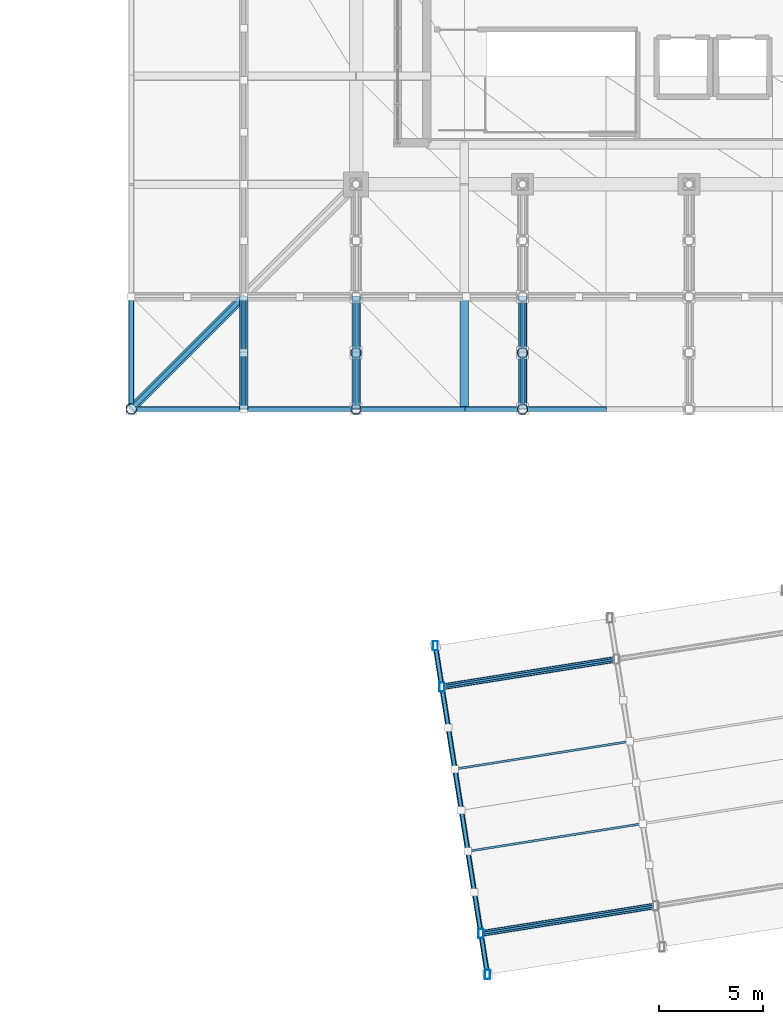
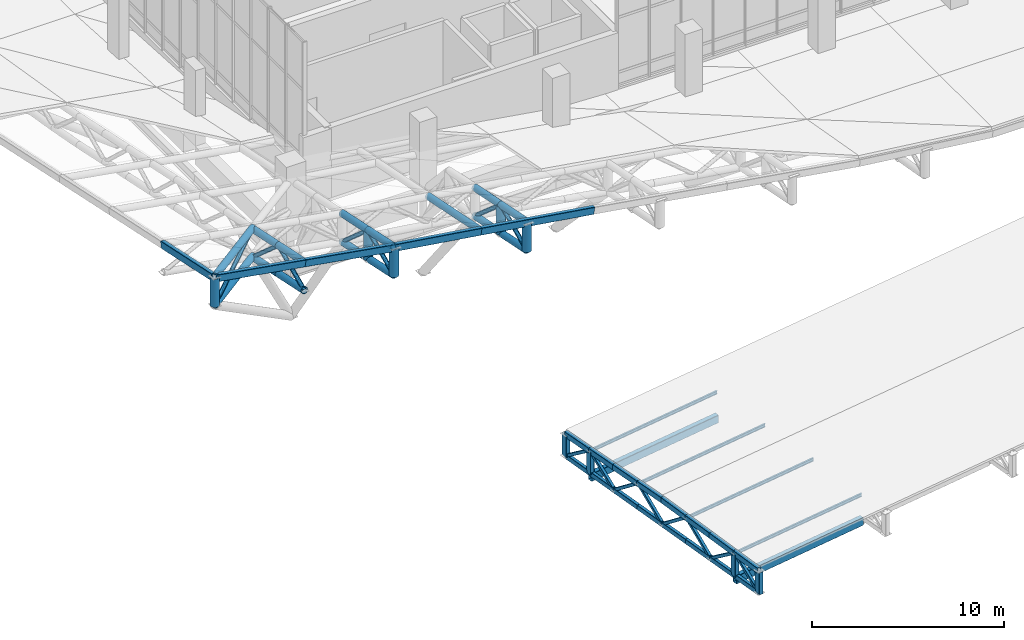
# One storey, part 10 of 137: 60 members, 7 beams.
"""IFC4 building model written with IfcOpenShell, lengths in metres."""

from ifc_helpers import new_model, si_unit, direction, frame, origin, origin_2d, place, context, subcontext, project, spatial, hollow_rectangle, hollow_circle, i_section, extrude, material, material_profile, profile_set, type_object, element, save


model = new_model("IFC4")

# Units and contexts
model_context = context("Model", 3, precision=1e-05, world=origin(), true_north=direction((0.0, 1.0)))
body_context = subcontext(model_context, "Body", "Model", "MODEL_VIEW")
ifc_project = project(units=[si_unit("LENGTHUNIT", "METRE"), si_unit("AREAUNIT", "SQUARE_METRE"), si_unit("VOLUMEUNIT", "CUBIC_METRE"), si_unit("PLANEANGLEUNIT", "RADIAN"), si_unit("MASSUNIT", "GRAM", prefix="KILO")], contexts=[model_context])

# Site, building, storey
site_placement = place(None, origin())
site = spatial("IfcSite", under=ifc_project, at=site_placement, CompositionType="ELEMENT")
building_placement = place(site_placement, origin())
building = spatial("IfcBuilding", under=site, at=building_placement, Name="Khorjan Park Terminus", CompositionType="ELEMENT")
storey_placement = place(building_placement, frame((0.0, 0.0, 11.4)))
storey = spatial("IfcBuildingStorey", under=building, at=storey_placement, Name="L02", CompositionType="ELEMENT", Elevation=11.4)

# Members
ifc_material = material(Name="Steel S355", Category="steel")
ifc_material_profile_1 = material_profile(ifc_material, hollow_rectangle(XDim=0.18, YDim=0.18, WallThickness=0.01, InnerFilletRadius=0.01, OuterFilletRadius=0.02, at=origin_2d()), Name="SHS 180x180x10")
ifc_profile_set_1 = profile_set([ifc_material_profile_1], Name="Steel S355")
member_type_1 = type_object("IfcMemberType", Name="MB-BR-SHS180E", PredefinedType="BRACE", material=ifc_profile_set_1)
for number, where, z_axis, x_axis, name in (
    (1, (54.3129, -11.9754, -2.0), (-0.126963381588, 0.801545107028, 0.584299359178), (-0.987686225577, -0.156447818155, 0.0), "Arrival canopy flat truss web brace TB-S18 (1)"),
    (2, (54.0, -10.0, -0.56), (-0.126963381588, 0.801545107028, -0.584299359178), (-0.987686225577, -0.156447818155, 0.0), "Arrival canopy flat truss web brace TB-S18 (1)"),
):
    element("IfcMember", number, at=place(storey_placement, frame(where, z_axis=z_axis, x_axis=x_axis)), inside=storey, type_object=member_type_1, Name=name, PredefinedType="BRACE", context=body_context, shape_type="SweptSolid", body=[
        extrude(hollow_rectangle(XDim=0.18, YDim=0.18, WallThickness=0.01, InnerFilletRadius=0.01, OuterFilletRadius=0.02, at=origin_2d()), origin(), (0.0, 0.0, 1.0), 2.4645),
    ])
member_1_placement = place(storey_placement, frame((53.6871, -8.0246, -2.0), z_axis=(-0.124519283718, 0.78636634609, 0.605080918324), x_axis=(-0.987693950393, -0.156399042059, 0.0)))
element("IfcMember", 3, at=member_1_placement, inside=storey, type_object=member_type_1, Name="Arrival canopy flat truss web brace TB-S18 (1)", PredefinedType="BRACE", context=body_context, shape_type="SweptSolid", body=[
    extrude(hollow_rectangle(XDim=0.18, YDim=0.18, WallThickness=0.01, InnerFilletRadius=0.01, OuterFilletRadius=0.02, at=origin_2d()), origin(), (0.0, 0.0, 1.0), 2.5121),
])
member_2_placement = place(storey_placement, frame((53.3743, -6.0492, -0.48), z_axis=(-0.124562373336, 0.786347254878, -0.605096859928), x_axis=(-0.987685001707, -0.156455544492, 0.0)))
element("IfcMember", 4, at=member_2_placement, inside=storey, type_object=member_type_1, Name="Arrival canopy flat truss web brace TB-S18 (1)", PredefinedType="BRACE", context=body_context, shape_type="SweptSolid", body=[
    extrude(hollow_rectangle(XDim=0.18, YDim=0.18, WallThickness=0.01, InnerFilletRadius=0.01, OuterFilletRadius=0.02, at=origin_2d()), origin(), (0.0, 0.0, 1.0), 2.512),
])
for number, where, z_axis, x_axis, name in (
    (5, (53.0614, -4.0739, -2.0), (-0.124558474158, 0.786362447589, 0.605077918566), (-0.987686225577, -0.156447818155, 0.0), "Arrival canopy flat truss web brace TB-S18 (1)"),
    (6, (52.7485, -2.0985, -0.48), (-0.124519283718, 0.78636634609, -0.605080918324), (-0.987693950393, -0.156399042059, 0.0), "Arrival canopy flat truss web brace TB-S18 (1)"),
):
    element("IfcMember", number, at=place(storey_placement, frame(where, z_axis=z_axis, x_axis=x_axis)), inside=storey, type_object=member_type_1, Name=name, PredefinedType="BRACE", context=body_context, shape_type="SweptSolid", body=[
        extrude(hollow_rectangle(XDim=0.18, YDim=0.18, WallThickness=0.01, InnerFilletRadius=0.01, OuterFilletRadius=0.02, at=origin_2d()), origin(), (0.0, 0.0, 1.0), 2.5121),
    ])
member_3_placement = place(storey_placement, frame((52.4357, -0.1231, -2.0), z_axis=(-0.126963381588, 0.801545107028, 0.584299359178), x_axis=(-0.987686225577, -0.156447818155, 0.0)))
element("IfcMember", 7, at=member_3_placement, inside=storey, type_object=member_type_1, Name="Arrival canopy flat truss web brace TB-S18 (1)", PredefinedType="BRACE", context=body_context, shape_type="SweptSolid", body=[
    extrude(hollow_rectangle(XDim=0.18, YDim=0.18, WallThickness=0.01, InnerFilletRadius=0.01, OuterFilletRadius=0.02, at=origin_2d()), origin(), (0.0, 0.0, 1.0), 2.4645),
])
member_4_placement = place(storey_placement, frame((52.1228, 1.8523, -0.56), z_axis=(-0.126967511013, 0.801530599245, -0.584318363242), x_axis=(-0.987685001707, -0.156455544492, 0.0)))
element("IfcMember", 8, at=member_4_placement, inside=storey, type_object=member_type_1, Name="Arrival canopy flat truss web brace TB-S18 (1)", PredefinedType="BRACE", context=body_context, shape_type="SweptSolid", body=[
    extrude(hollow_rectangle(XDim=0.18, YDim=0.18, WallThickness=0.01, InnerFilletRadius=0.01, OuterFilletRadius=0.02, at=origin_2d()), origin(), (0.0, 0.0, 1.0), 2.4644),
])
ifc_material_profile_2 = material_profile(ifc_material, hollow_circle(Radius=0.1222, WallThickness=0.0125, at=origin_2d()), Name="CHS 244.5x12.5")
ifc_profile_set_2 = profile_set([ifc_material_profile_2], Name="Steel S355")
member_type_2 = type_object("IfcMemberType", Name="MB-BRE-245", PredefinedType="BRACE", material=ifc_profile_set_2)
member_5_placement = place(storey_placement, frame((48.0, 15.2, 3.9399), z_axis=(0.0, 0.910426516303, 0.413670833408), x_axis=(-1.0, 0.0, 0.0)))
element("IfcMember", 9, at=member_5_placement, inside=storey, type_object=member_type_2, Name="Lower shell cantilever truss diagonal (1S)", PredefinedType="BRACE", context=body_context, shape_type="SweptSolid", body=[
    extrude(hollow_circle(Radius=0.1222, WallThickness=0.0125, at=origin_2d()), origin(), (0.0, 0.0, 1.0), 2.9656),
])
member_6_placement = place(storey_placement, frame((48.0, 17.9, 5.1667), z_axis=(0.0, 0.751099687052, -0.660188806411), x_axis=(-1.0, 0.0, 0.0)))
element("IfcMember", 10, at=member_6_placement, inside=storey, type_object=member_type_2, Name="Lower shell cantilever truss diagonal (1S)", PredefinedType="BRACE", context=body_context, shape_type="SweptSolid", body=[
    extrude(hollow_circle(Radius=0.1222, WallThickness=0.0125, at=origin_2d()), origin(), (0.0, 0.0, 1.0), 3.5947),
])
member_7_placement = place(storey_placement, frame((56.0, 15.2, 2.7325), z_axis=(0.0, 0.907595020085, 0.419846733365), x_axis=(-1.0, 0.0, 0.0)))
element("IfcMember", 11, at=member_7_placement, inside=storey, type_object=member_type_2, Name="Lower shell cantilever truss diagonal (2S)", PredefinedType="BRACE", context=body_context, shape_type="SweptSolid", body=[
    extrude(hollow_circle(Radius=0.1222, WallThickness=0.0125, at=origin_2d()), origin(), (0.0, 0.0, 1.0), 2.9749),
])
member_8_placement = place(storey_placement, frame((56.0, 17.9, 3.9815), z_axis=(0.0, 0.755245900469, -0.655441553325), x_axis=(-1.0, 0.0, 0.0)))
element("IfcMember", 12, at=member_8_placement, inside=storey, type_object=member_type_2, Name="Lower shell cantilever truss diagonal (2S)", PredefinedType="BRACE", context=body_context, shape_type="SweptSolid", body=[
    extrude(hollow_circle(Radius=0.1222, WallThickness=0.0125, at=origin_2d()), origin(), (0.0, 0.0, 1.0), 3.575),
])
member_9_placement = place(storey_placement, frame((42.6, 15.2, 4.8559), z_axis=(0.0, 0.910413816718, 0.413698782123), x_axis=(-1.0, 0.0, 0.0)))
element("IfcMember", 13, at=member_9_placement, inside=storey, type_object=member_type_2, Name="Lower shell mid-ring diagonal (W1)", PredefinedType="BRACE", context=body_context, shape_type="SweptSolid", body=[
    extrude(hollow_circle(Radius=0.1222, WallThickness=0.0125, at=origin_2d()), origin(), (0.0, 0.0, 1.0), 2.9657),
])
member_10_placement = place(storey_placement, frame((42.6, 17.9, 6.0828), z_axis=(0.0, 0.751099687052, -0.660188806411), x_axis=(-1.0, 0.0, 0.0)))
element("IfcMember", 14, at=member_10_placement, inside=storey, type_object=member_type_2, Name="Lower shell mid-ring diagonal (W2)", PredefinedType="BRACE", context=body_context, shape_type="SweptSolid", body=[
    extrude(hollow_circle(Radius=0.1222, WallThickness=0.0125, at=origin_2d()), origin(), (0.0, 0.0, 1.0), 3.5947),
])
member_11_placement = place(storey_placement, frame((42.6, 20.6, 5.5576), z_axis=(-0.706689738214, -0.706689738214, 0.034339886538), x_axis=(0.707106781187, -0.707106781187, 0.0)))
element("IfcMember", 15, at=member_11_placement, inside=storey, type_object=member_type_2, Name="Lower shell upturned corner truss TBE-24 (SW)", PredefinedType="BRACE", context=body_context, shape_type="SweptSolid", body=[
    extrude(hollow_circle(Radius=0.1222, WallThickness=0.0125, at=origin_2d()), origin(), (0.0, 0.0, 1.0), 7.6413),
])
ifc_material_profile_3 = material_profile(ifc_material, hollow_rectangle(XDim=0.2, YDim=0.3, WallThickness=0.0125, InnerFilletRadius=0.0125, OuterFilletRadius=0.025, at=origin_2d()), Name="RHS 300x200x12.5")
ifc_profile_set_3 = profile_set([ifc_material_profile_3], Name="Steel S355")
member_type_3 = type_object("IfcMemberType", Name="MB-CH-RHS300E", PredefinedType="CHORD", material=ifc_profile_set_3)
for number, where, z_axis, x_axis, name in (
    (16, (54.3129, -11.9754, -2.0), (-0.156447818155, 0.987686225577, 0.0), (-0.987686225577, -0.156447818155, 0.0), "Arrival canopy flat truss bottom chord TC-R30 (1)"),
    (17, (54.0, -10.0, -2.0), (-0.156447818155, 0.987686225577, 0.0), (-0.987686225577, -0.156447818155, 0.0), "Arrival canopy flat truss bottom chord TC-R30 (1)"),
    (18, (53.6871, -8.0246, -2.0), (-0.156399042059, 0.987693950393, 0.0), (-0.987693950393, -0.156399042059, 0.0), "Arrival canopy flat truss bottom chord TC-R30 (1)"),
):
    element("IfcMember", number, at=place(storey_placement, frame(where, z_axis=z_axis, x_axis=x_axis)), inside=storey, type_object=member_type_3, Name=name, PredefinedType="CHORD", context=body_context, shape_type="SweptSolid", body=[
        extrude(hollow_rectangle(XDim=0.2, YDim=0.3, WallThickness=0.0125, InnerFilletRadius=0.0125, OuterFilletRadius=0.025, at=origin_2d()), origin(), (0.0, 0.0, 1.0), 2.0),
    ])
member_12_placement = place(storey_placement, frame((53.3743, -6.0492, -2.0), z_axis=(-0.156455544492, 0.987685001707, 0.0), x_axis=(-0.987685001707, -0.156455544492, 0.0)))
element("IfcMember", 19, at=member_12_placement, inside=storey, type_object=member_type_3, Name="Arrival canopy flat truss bottom chord TC-R30 (1)", PredefinedType="CHORD", context=body_context, shape_type="SweptSolid", body=[
    extrude(hollow_rectangle(XDim=0.2, YDim=0.3, WallThickness=0.0125, InnerFilletRadius=0.0125, OuterFilletRadius=0.025, at=origin_2d()), origin(), (0.0, 0.0, 1.0), 1.9999),
])
for number, where, z_axis, x_axis, name in (
    (20, (53.0614, -4.0739, -2.0), (-0.156447818155, 0.987686225577, 0.0), (-0.987686225577, -0.156447818155, 0.0), "Arrival canopy flat truss bottom chord TC-R30 (1)"),
    (21, (52.7485, -2.0985, -2.0), (-0.156399042059, 0.987693950393, 0.0), (-0.987693950393, -0.156399042059, 0.0), "Arrival canopy flat truss bottom chord TC-R30 (1)"),
    (22, (52.4357, -0.1231, -2.0), (-0.156447818155, 0.987686225577, 0.0), (-0.987686225577, -0.156447818155, 0.0), "Arrival canopy flat truss bottom chord TC-R30 (1)"),
):
    element("IfcMember", number, at=place(storey_placement, frame(where, z_axis=z_axis, x_axis=x_axis)), inside=storey, type_object=member_type_3, Name=name, PredefinedType="CHORD", context=body_context, shape_type="SweptSolid", body=[
        extrude(hollow_rectangle(XDim=0.2, YDim=0.3, WallThickness=0.0125, InnerFilletRadius=0.0125, OuterFilletRadius=0.025, at=origin_2d()), origin(), (0.0, 0.0, 1.0), 2.0),
    ])
member_13_placement = place(storey_placement, frame((52.1228, 1.8523, -2.0), z_axis=(-0.156455544492, 0.987685001707, 0.0), x_axis=(-0.987685001707, -0.156455544492, 0.0)))
element("IfcMember", 23, at=member_13_placement, inside=storey, type_object=member_type_3, Name="Arrival canopy flat truss bottom chord TC-R30 (1)", PredefinedType="CHORD", context=body_context, shape_type="SweptSolid", body=[
    extrude(hollow_rectangle(XDim=0.2, YDim=0.3, WallThickness=0.0125, InnerFilletRadius=0.0125, OuterFilletRadius=0.025, at=origin_2d()), origin(), (0.0, 0.0, 1.0), 1.9999),
])
ifc_material_profile_4 = material_profile(ifc_material, hollow_rectangle(XDim=0.25, YDim=0.35, WallThickness=0.0125, InnerFilletRadius=0.0125, OuterFilletRadius=0.025, at=origin_2d()), Name="RHS 350x250x12.5")
ifc_profile_set_4 = profile_set([ifc_material_profile_4], Name="Steel S355")
member_type_4 = type_object("IfcMemberType", Name="MB-CH-RHS350E", PredefinedType="CHORD", material=ifc_profile_set_4)
for number, where, z_axis, x_axis, name in (
    (24, (54.3129, -11.9754, -0.6), (-0.156416538847, 0.98748875308, 0.019995722448), (-0.987686225577, -0.156447818155, 0.0), "Arrival canopy flat truss top chord TC-R35 (1)"),
    (25, (54.0, -10.0, -0.56), (-0.156416538847, 0.98748875308, 0.019995722448), (-0.987686225577, -0.156447818155, 0.0), "Arrival canopy flat truss top chord TC-R35 (1)"),
    (26, (53.6871, -8.0246, -0.52), (-0.156367772014, 0.987496473263, 0.019995878774), (-0.987693950393, -0.156399042059, 0.0), "Arrival canopy flat truss top chord TC-R35 (1)"),
):
    element("IfcMember", number, at=place(storey_placement, frame(where, z_axis=z_axis, x_axis=x_axis)), inside=storey, type_object=member_type_4, Name=name, PredefinedType="CHORD", context=body_context, shape_type="SweptSolid", body=[
        extrude(hollow_rectangle(XDim=0.25, YDim=0.35, WallThickness=0.0125, InnerFilletRadius=0.0125, OuterFilletRadius=0.025, at=origin_2d()), origin(), (0.0, 0.0, 1.0), 2.0004),
    ])
member_14_placement = place(storey_placement, frame((53.3743, -6.0492, -0.48), z_axis=(-0.15642426055, 0.987487509955, 0.019996709562), x_axis=(-0.987685001707, -0.156455544492, 0.0)))
element("IfcMember", 27, at=member_14_placement, inside=storey, type_object=member_type_4, Name="Arrival canopy flat truss top chord TC-R35 (1)", PredefinedType="CHORD", context=body_context, shape_type="SweptSolid", body=[
    extrude(hollow_rectangle(XDim=0.25, YDim=0.35, WallThickness=0.0125, InnerFilletRadius=0.0125, OuterFilletRadius=0.025, at=origin_2d()), origin(), (0.0, 0.0, 1.0), 2.0003),
])
for number, where, z_axis, x_axis, name in (
    (28, (53.0614, -4.0739, -0.44), (-0.156416538847, 0.98748875308, -0.019995722448), (-0.987686225577, -0.156447818155, 0.0), "Arrival canopy flat truss top chord TC-R35 (1)"),
    (29, (52.7485, -2.0985, -0.48), (-0.156367772014, 0.987496473263, -0.019995878774), (-0.987693950393, -0.156399042059, 0.0), "Arrival canopy flat truss top chord TC-R35 (1)"),
    (30, (52.4357, -0.1231, -0.52), (-0.156416538847, 0.98748875308, -0.019995722448), (-0.987686225577, -0.156447818155, 0.0), "Arrival canopy flat truss top chord TC-R35 (1)"),
):
    element("IfcMember", number, at=place(storey_placement, frame(where, z_axis=z_axis, x_axis=x_axis)), inside=storey, type_object=member_type_4, Name=name, PredefinedType="CHORD", context=body_context, shape_type="SweptSolid", body=[
        extrude(hollow_rectangle(XDim=0.25, YDim=0.35, WallThickness=0.0125, InnerFilletRadius=0.0125, OuterFilletRadius=0.025, at=origin_2d()), origin(), (0.0, 0.0, 1.0), 2.0004),
    ])
member_15_placement = place(storey_placement, frame((52.1228, 1.8523, -0.56), z_axis=(-0.15642426055, 0.987487509955, -0.019996709562), x_axis=(-0.987685001707, -0.156455544492, 0.0)))
element("IfcMember", 31, at=member_15_placement, inside=storey, type_object=member_type_4, Name="Arrival canopy flat truss top chord TC-R35 (1)", PredefinedType="CHORD", context=body_context, shape_type="SweptSolid", body=[
    extrude(hollow_rectangle(XDim=0.25, YDim=0.35, WallThickness=0.0125, InnerFilletRadius=0.0125, OuterFilletRadius=0.025, at=origin_2d()), origin(), (0.0, 0.0, 1.0), 2.0003),
])
ifc_material_profile_5 = material_profile(ifc_material, hollow_circle(Radius=0.2032, WallThickness=0.016, at=origin_2d()), Name="CHS 406.4x16")
ifc_profile_set_5 = profile_set([ifc_material_profile_5], Name="Steel S355")
member_type_5 = type_object("IfcMemberType", Name="MB-CHE-406", PredefinedType="CHORD", material=ifc_profile_set_5)
member_16_placement = place(storey_placement, frame((48.0, 15.2, 5.7399), z_axis=(0.0, 0.978199346233, -0.207668098245), x_axis=(-1.0, 0.0, 0.0)))
element("IfcMember", 32, at=member_16_placement, inside=storey, type_object=member_type_5, Name="Lower wrapping shell rim chord (120)", PredefinedType="CHORD", context=body_context, shape_type="SweptSolid", body=[
    extrude(hollow_circle(Radius=0.2032, WallThickness=0.016, at=origin_2d()), origin(), (0.0, 0.0, 1.0), 5.5203),
])
member_17_placement = place(storey_placement, frame((53.2, 15.2, 4.9627), z_axis=(0.0, 0.979805509738, -0.199952902172), x_axis=(-1.0, 0.0, 0.0)))
element("IfcMember", 33, at=member_17_placement, inside=storey, type_object=member_type_5, Name="Lower wrapping shell rim chord (126)", PredefinedType="CHORD", context=body_context, shape_type="SweptSolid", body=[
    extrude(hollow_circle(Radius=0.2032, WallThickness=0.016, at=origin_2d()), origin(), (0.0, 0.0, 1.0), 5.5113),
])
for number, where, z_axis, x_axis, name in (
    (34, (48.0, 15.2, 5.7399), (0.0, 0.978199346233, -0.207668098245), (-1.0, 0.0, 0.0), "Lower shell cantilever truss top chord (1S)"),
    (35, (48.0, 15.2, 3.9399), (0.0, 0.978199346233, -0.207668098245), (-1.0, 0.0, 0.0), "Lower shell cantilever truss bottom chord (1S)"),
    (36, (48.0, 17.9, 5.1667), (0.0, 0.978199346233, -0.207668098245), (-1.0, 0.0, 0.0), "Lower shell cantilever truss top chord (1S)"),
    (37, (48.0, 17.9, 3.3667), (0.0, 0.978199346233, -0.207668098245), (-1.0, 0.0, 0.0), "Lower shell cantilever truss bottom chord (1S)"),
):
    element("IfcMember", number, at=place(storey_placement, frame(where, z_axis=z_axis, x_axis=x_axis)), inside=storey, type_object=member_type_5, Name=name, PredefinedType="CHORD", context=body_context, shape_type="SweptSolid", body=[
        extrude(hollow_circle(Radius=0.2032, WallThickness=0.016, at=origin_2d()), origin(), (0.0, 0.0, 1.0), 2.7602),
    ])
for number, where, z_axis, x_axis, name in (
    (38, (56.0, 15.2, 4.5325), (0.0, 0.979805509738, -0.199952902172), (-1.0, 0.0, 0.0), "Lower shell cantilever truss top chord (2S)"),
    (39, (56.0, 15.2, 2.7325), (0.0, 0.979805509738, -0.199952902172), (-1.0, 0.0, 0.0), "Lower shell cantilever truss bottom chord (2S)"),
):
    element("IfcMember", number, at=place(storey_placement, frame(where, z_axis=z_axis, x_axis=x_axis)), inside=storey, type_object=member_type_5, Name=name, PredefinedType="CHORD", context=body_context, shape_type="SweptSolid", body=[
        extrude(hollow_circle(Radius=0.2032, WallThickness=0.016, at=origin_2d()), origin(), (0.0, 0.0, 1.0), 2.7556),
    ])
for number, where, z_axis, x_axis, name in (
    (40, (56.0, 17.9, 3.9815), (0.0, 0.980356596147, -0.197233223343), (-1.0, 0.0, 0.0), "Lower shell cantilever truss top chord (2S)"),
    (41, (56.0, 17.9, 2.1815), (0.0, 0.980356596147, -0.197233223343), (-1.0, 0.0, 0.0), "Lower shell cantilever truss bottom chord (2S)"),
):
    element("IfcMember", number, at=place(storey_placement, frame(where, z_axis=z_axis, x_axis=x_axis)), inside=storey, type_object=member_type_5, Name=name, PredefinedType="CHORD", context=body_context, shape_type="SweptSolid", body=[
        extrude(hollow_circle(Radius=0.2032, WallThickness=0.016, at=origin_2d()), origin(), (0.0, 0.0, 1.0), 2.7541),
    ])
for number, where, z_axis, x_axis, name in (
    (42, (42.6, 15.2, 6.6559), (0.0, 0.978206705385, -0.207633430688), (-1.0, 0.0, 0.0), "Lower shell mid-ring top chord (W1)"),
    (43, (42.6, 15.2, 4.8559), (0.0, 0.978206705385, -0.207633430688), (-1.0, 0.0, 0.0), "Lower shell mid-ring bottom chord (W1)"),
    (44, (42.6, 17.9, 6.0828), (0.0, 0.978199346233, -0.207668098245), (-1.0, 0.0, 0.0), "Lower shell mid-ring top chord (W2)"),
    (45, (42.6, 17.9, 4.2828), (0.0, 0.978199346233, -0.207668098245), (-1.0, 0.0, 0.0), "Lower shell mid-ring bottom chord (W2)"),
):
    element("IfcMember", number, at=place(storey_placement, frame(where, z_axis=z_axis, x_axis=x_axis)), inside=storey, type_object=member_type_5, Name=name, PredefinedType="CHORD", context=body_context, shape_type="SweptSolid", body=[
        extrude(hollow_circle(Radius=0.2032, WallThickness=0.016, at=origin_2d()), origin(), (0.0, 0.0, 1.0), 2.7602),
    ])
for number, where, z_axis, x_axis, name in (
    (46, (42.6, 20.6, 5.5576), (-0.682650727968, -0.682650727968, 0.260722011363), (0.707106781187, -0.707106781187, 0.0), "Lower shell upturned corner truss TCE-41 (SW)"),
    (47, (42.6, 20.6, 3.7576), (-0.682650727968, -0.682650727968, 0.260722011363), (0.707106781187, -0.707106781187, 0.0), "Lower shell upturned corner truss TCE-41 (SW)"),
):
    element("IfcMember", number, at=place(storey_placement, frame(where, z_axis=z_axis, x_axis=x_axis)), inside=storey, type_object=member_type_5, Name=name, PredefinedType="CHORD", context=body_context, shape_type="SweptSolid", body=[
        extrude(hollow_circle(Radius=0.2032, WallThickness=0.016, at=origin_2d()), origin(), (0.0, 0.0, 1.0), 7.9103),
    ])
ifc_material_profile_6 = material_profile(ifc_material, i_section(OverallWidth=0.1, OverallDepth=0.2, WebThickness=0.0056, FlangeThickness=0.0085, FilletRadius=0.012, at=origin_2d()), Name="IPE 200")
ifc_profile_set_6 = profile_set([ifc_material_profile_6], Name="Steel S355")
member_type_6 = type_object("IfcMemberType", Name="MB-PRE-IPE200", PredefinedType="PURLIN", material=ifc_profile_set_6)
member_18_placement = place(storey_placement, frame((54.0, -10.0, -0.61), z_axis=(0.98768835387, 0.156434381226, 0.0), x_axis=(-0.156434381226, 0.98768835387, 0.0)))
element("IfcMember", 48, at=member_18_placement, inside=storey, type_object=member_type_6, Name="Arrival canopy roof purlin PRE-20 (1)", PredefinedType="PURLIN", context=body_context, shape_type="SweptSolid", body=[
    extrude(i_section(OverallWidth=0.1, OverallDepth=0.2, WebThickness=0.0056, FlangeThickness=0.0085, FilletRadius=0.012, at=origin_2d()), origin(), (0.0, 0.0, 1.0), 8.5),
])
member_19_placement = place(storey_placement, frame((53.3743, -6.0492, -0.53), z_axis=(0.987689883678, 0.156424722087, 0.0), x_axis=(-0.156424722087, 0.987689883678, 0.0)))
element("IfcMember", 49, at=member_19_placement, inside=storey, type_object=member_type_6, Name="Arrival canopy roof purlin PRE-20 (1)", PredefinedType="PURLIN", context=body_context, shape_type="SweptSolid", body=[
    extrude(i_section(OverallWidth=0.1, OverallDepth=0.2, WebThickness=0.0056, FlangeThickness=0.0085, FilletRadius=0.012, at=origin_2d()), origin(), (0.0, 0.0, 1.0), 8.4999),
])
for number, where, z_axis, x_axis, name in (
    (50, (52.7485, -2.0985, -0.53), (0.98768835387, 0.156434381226, 0.0), (-0.156434381226, 0.98768835387, 0.0), "Arrival canopy roof purlin PRE-20 (1)"),
    (51, (52.1228, 1.8523, -0.61), (0.987688065964, 0.156436198982, 0.0), (-0.156436198982, 0.987688065964, 0.0), "Arrival canopy roof purlin PRE-20 (1)"),
):
    element("IfcMember", number, at=place(storey_placement, frame(where, z_axis=z_axis, x_axis=x_axis)), inside=storey, type_object=member_type_6, Name=name, PredefinedType="PURLIN", context=body_context, shape_type="SweptSolid", body=[
        extrude(i_section(OverallWidth=0.1, OverallDepth=0.2, WebThickness=0.0056, FlangeThickness=0.0085, FilletRadius=0.012, at=origin_2d()), origin(), (0.0, 0.0, 1.0), 8.5),
    ])
ifc_material_profile_7 = material_profile(ifc_material, hollow_circle(Radius=0.254, WallThickness=0.02, at=origin_2d()), Name="CHS 508x20")
ifc_profile_set_7 = profile_set([ifc_material_profile_7], Name="Steel S355")
member_type_7 = type_object("IfcMemberType", Name="MB-STE-508", PredefinedType="STRUT", material=ifc_profile_set_7)
for number, where, z_axis, x_axis, name in (
    (52, (48.0, 15.2, 3.9399), (0.0, 0.0, 1.0), (1.0, 0.0, 0.0), "Lower shell cantilever truss post (1S)"),
    (53, (48.0, 17.9, 3.3667), (0.0, 0.0, 1.0), (1.0, 0.0, 0.0), "Lower shell cantilever truss post (1S)"),
    (54, (56.0, 15.2, 2.7325), (0.0, 0.0, 1.0), (1.0, 0.0, 0.0), "Lower shell cantilever truss post (2S)"),
    (55, (56.0, 17.9, 2.1815), (0.0, 0.0, 1.0), (1.0, 0.0, 0.0), "Lower shell cantilever truss post (2S)"),
    (56, (37.2, 15.2, 5.82), (0.0, 0.0, 1.0), (1.0, 0.0, 0.0), "Lower shell upturned corner tip post (SW)"),
):
    element("IfcMember", number, at=place(storey_placement, frame(where, z_axis=z_axis, x_axis=x_axis)), inside=storey, type_object=member_type_7, Name=name, PredefinedType="STRUT", context=body_context, shape_type="SweptSolid", body=[
        extrude(hollow_circle(Radius=0.254, WallThickness=0.02, at=origin_2d()), origin(), (0.0, 0.0, 1.0), 1.8),
    ])
ifc_material_profile_8 = material_profile(ifc_material, hollow_rectangle(XDim=0.25, YDim=0.45, WallThickness=0.016, InnerFilletRadius=0.016, OuterFilletRadius=0.032, at=origin_2d()), Name="RHS 450x250x16")
ifc_profile_set_8 = profile_set([ifc_material_profile_8], Name="Steel S355")
member_type_8 = type_object("IfcMemberType", Name="MB-STE-RHS250", PredefinedType="STRUT", material=ifc_profile_set_8)
member_20_placement = place(storey_placement, frame((54.3129, -11.9754, -2.0), z_axis=(0.0, 0.0, 1.0), x_axis=(1.0, 0.0, 0.0)))
element("IfcMember", 57, at=member_20_placement, inside=storey, type_object=member_type_8, Name="Arrival canopy truss post STE-R25 (1S)", PredefinedType="STRUT", context=body_context, shape_type="SweptSolid", body=[
    extrude(hollow_rectangle(XDim=0.25, YDim=0.45, WallThickness=0.016, InnerFilletRadius=0.016, OuterFilletRadius=0.032, at=origin_2d()), origin(), (0.0, 0.0, 1.0), 1.4),
])
for number, where, z_axis, x_axis, name in (
    (58, (54.0, -10.0, -2.0), (0.0, 0.0, 1.0), (1.0, 0.0, 0.0), "Arrival canopy truss post STE-R25 (1CS)"),
    (59, (52.1228, 1.8523, -2.0), (0.0, 0.0, 1.0), (1.0, 0.0, 0.0), "Arrival canopy truss post STE-R25 (1CN)"),
):
    element("IfcMember", number, at=place(storey_placement, frame(where, z_axis=z_axis, x_axis=x_axis)), inside=storey, type_object=member_type_8, Name=name, PredefinedType="STRUT", context=body_context, shape_type="SweptSolid", body=[
        extrude(hollow_rectangle(XDim=0.25, YDim=0.45, WallThickness=0.016, InnerFilletRadius=0.016, OuterFilletRadius=0.032, at=origin_2d()), origin(), (0.0, 0.0, 1.0), 1.44),
    ])
member_21_placement = place(storey_placement, frame((51.8099, 3.8276, -2.0), z_axis=(0.0, 0.0, 1.0), x_axis=(1.0, 0.0, 0.0)))
element("IfcMember", 60, at=member_21_placement, inside=storey, type_object=member_type_8, Name="Arrival canopy truss post STE-R25 (1N)", PredefinedType="STRUT", context=body_context, shape_type="SweptSolid", body=[
    extrude(hollow_rectangle(XDim=0.25, YDim=0.45, WallThickness=0.016, InnerFilletRadius=0.016, OuterFilletRadius=0.032, at=origin_2d()), origin(), (0.0, 0.0, 1.0), 1.4),
])

# Beams
ifc_material_profile_9 = material_profile(ifc_material, hollow_rectangle(XDim=0.25, YDim=0.45, WallThickness=0.016, InnerFilletRadius=0.016, OuterFilletRadius=0.032, at=origin_2d()), Name="RHS 450x250x16")
ifc_profile_set_9 = profile_set([ifc_material_profile_9], Name="Steel S355")
beam_type_1 = type_object("IfcBeamType", Name="SP-RHS450", PredefinedType="SPANDREL", material=ifc_profile_set_9)
beam_1_placement = place(storey_placement, frame((37.2, 15.2, 7.55), z_axis=(0.985913104802, 0.0, -0.167258332465), x_axis=(0.0, 1.0, 0.0)))
element("IfcBeam", 61, at=beam_1_placement, inside=storey, type_object=beam_type_1, Name="Lower wrapping shell upturned edge beam SP-R45 (1)", PredefinedType="SPANDREL", context=body_context, shape_type="SweptSolid", body=[
    extrude(hollow_rectangle(XDim=0.25, YDim=0.45, WallThickness=0.016, InnerFilletRadius=0.016, OuterFilletRadius=0.032, at=origin_2d()), origin(), (0.0, 0.0, 1.0), 5.4772),
])
beam_2_placement = place(storey_placement, frame((42.6, 15.2, 6.6339), z_axis=(0.985916115378, 0.0, -0.167240585497), x_axis=(0.0, 1.0, 0.0)))
element("IfcBeam", 62, at=beam_2_placement, inside=storey, type_object=beam_type_1, Name="Lower wrapping shell upturned edge beam SP-R45 (2)", PredefinedType="SPANDREL", context=body_context, shape_type="SweptSolid", body=[
    extrude(hollow_rectangle(XDim=0.25, YDim=0.45, WallThickness=0.016, InnerFilletRadius=0.016, OuterFilletRadius=0.032, at=origin_2d()), origin(), (0.0, 0.0, 1.0), 5.4771),
])
beam_3_placement = place(storey_placement, frame((48.0, 15.2, 5.7179), z_axis=(0.989014339855, 0.0, -0.147819604795), x_axis=(0.0, 1.0, 0.0)))
element("IfcBeam", 63, at=beam_3_placement, inside=storey, type_object=beam_type_1, Name="Lower wrapping shell upturned edge beam SP-R45 (3)", PredefinedType="SPANDREL", context=body_context, shape_type="SweptSolid", body=[
    extrude(hollow_rectangle(XDim=0.25, YDim=0.45, WallThickness=0.016, InnerFilletRadius=0.016, OuterFilletRadius=0.032, at=origin_2d()), origin(), (0.0, 0.0, 1.0), 5.2578),
])
beam_4_placement = place(storey_placement, frame((53.2, 15.2, 4.9407), z_axis=(0.988401253696, 0.0, -0.151864945568), x_axis=(0.0, 1.0, 0.0)))
element("IfcBeam", 64, at=beam_4_placement, inside=storey, type_object=beam_type_1, Name="Lower wrapping shell upturned edge beam SP-R45 (4)", PredefinedType="SPANDREL", context=body_context, shape_type="SweptSolid", body=[
    extrude(hollow_rectangle(XDim=0.25, YDim=0.45, WallThickness=0.016, InnerFilletRadius=0.016, OuterFilletRadius=0.032, at=origin_2d()), origin(), (0.0, 0.0, 1.0), 6.8798),
])
beam_5_placement = place(storey_placement, frame((37.2, 15.2, 7.55), z_axis=(0.0, 0.978199346233, -0.207668098245), x_axis=(-1.0, 0.0, 0.0)))
element("IfcBeam", 65, at=beam_5_placement, inside=storey, type_object=beam_type_1, Name="Lower wrapping shell upturned edge beam SP-R45 (33)", PredefinedType="SPANDREL", context=body_context, shape_type="SweptSolid", body=[
    extrude(hollow_rectangle(XDim=0.25, YDim=0.45, WallThickness=0.016, InnerFilletRadius=0.016, OuterFilletRadius=0.032, at=origin_2d()), origin(), (0.0, 0.0, 1.0), 5.5203),
])
ifc_material_profile_10 = material_profile(ifc_material, hollow_rectangle(XDim=0.3, YDim=0.5, WallThickness=0.016, InnerFilletRadius=0.016, OuterFilletRadius=0.032, at=origin_2d()), Name="RHS 500x300x16")
ifc_profile_set_10 = profile_set([ifc_material_profile_10], Name="Steel S355")
beam_type_2 = type_object("IfcBeamType", Name="SP-RHS500", PredefinedType="SPANDREL", material=ifc_profile_set_10)
for number, where, z_axis, x_axis, name in (
    (66, (54.0, -10.0, -2.25), (0.98768835387, 0.156434381226, 0.0), (-0.156434381226, 0.98768835387, 0.0), "Arrival canopy tie beam SP-R50 (S1)"),
    (67, (52.1228, 1.8523, -2.25), (0.987688065964, 0.156436198982, 0.0), (-0.156436198982, 0.987688065964, 0.0), "Arrival canopy tie beam SP-R50 (N1)"),
):
    element("IfcBeam", number, at=place(storey_placement, frame(where, z_axis=z_axis, x_axis=x_axis)), inside=storey, type_object=beam_type_2, Name=name, PredefinedType="SPANDREL", context=body_context, shape_type="SweptSolid", body=[
        extrude(hollow_rectangle(XDim=0.3, YDim=0.5, WallThickness=0.016, InnerFilletRadius=0.016, OuterFilletRadius=0.032, at=origin_2d()), origin(), (0.0, 0.0, 1.0), 8.5),
    ])

save(model, "model.ifc")
